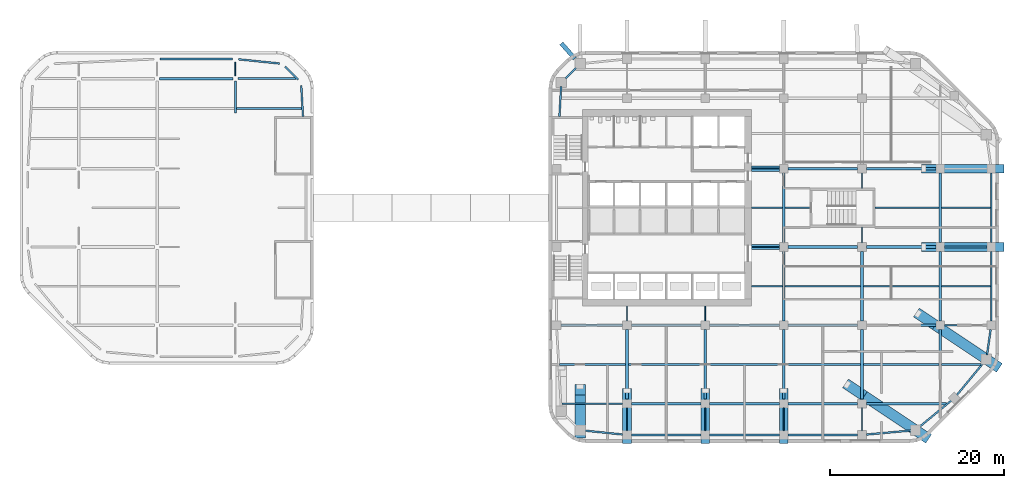
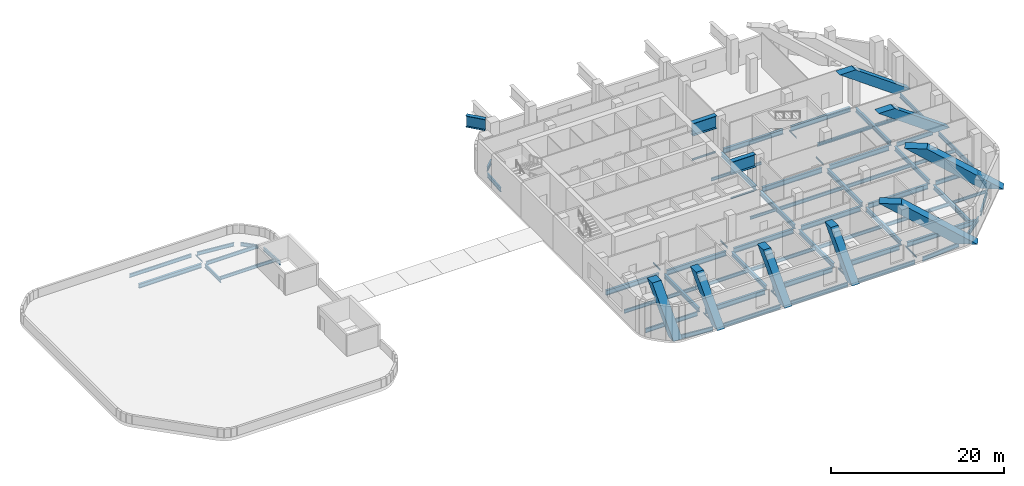
# One storey, part 2 of 11: 74 beams, 8 members.
"""IFC4 building model written with IfcOpenShell, lengths in metres."""

from ifc_helpers import new_model, si_unit, direction, frame, origin, origin_2d, place, context, subcontext, project, spatial, rectangle, i_section, extrude, material, material_profile, profile_set, type_object, element, save


model = new_model("IFC4")

# Units and contexts
model_context = context("Model", 3, precision=1e-05, world=origin(), true_north=direction((0.0, 1.0)))
body_context = subcontext(model_context, "Body", "Model", "MODEL_VIEW")
ifc_project = project(units=[si_unit("LENGTHUNIT", "METRE"), si_unit("AREAUNIT", "SQUARE_METRE"), si_unit("VOLUMEUNIT", "CUBIC_METRE"), si_unit("PLANEANGLEUNIT", "RADIAN"), si_unit("MASSUNIT", "GRAM", prefix="KILO")], contexts=[model_context])

# Site, building, storey
site_placement = place(None, origin())
site = spatial("IfcSite", under=ifc_project, at=site_placement, CompositionType="ELEMENT")
building_placement = place(site_placement, origin())
building = spatial("IfcBuilding", under=site, at=building_placement, Name="Cinnabar Reach Civic Tower", CompositionType="ELEMENT")
storey_placement = place(building_placement, frame((0.0, 0.0, 144.0)))
storey = spatial("IfcBuildingStorey", under=building, at=storey_placement, Name="L34", CompositionType="ELEMENT", Elevation=144.0)

# Beams
ifc_material_1 = material(Name="Steel Q355B", Category="steel")
ifc_material_profile_1 = material_profile(ifc_material_1, i_section(OverallWidth=0.3, OverallDepth=0.588, WebThickness=0.012, FlangeThickness=0.02, FilletRadius=0.016, at=origin_2d()), Name="HM588x300x12x20")
ifc_profile_set_1 = profile_set([ifc_material_profile_1], Name="Steel Q355B")
beam_type_1 = type_object("IfcBeamType", Name="HM588x300x12x20 beam R 120", PredefinedType="BEAM", material=ifc_profile_set_1)
beam_1_placement = place(storey_placement, frame((-44.698, 46.35, -0.744), z_axis=(1.0, 0.0, 0.0), x_axis=(0.0, 1.0, 0.0)))
element("IfcBeam", 1, at=beam_1_placement, inside=storey, type_object=beam_type_1, Name="Girder T2 L34 12", PredefinedType="BEAM", context=body_context, shape_type="SweptSolid", body=[
    extrude(i_section(OverallWidth=0.3, OverallDepth=0.588, WebThickness=0.012, FlangeThickness=0.02, FilletRadius=0.016, at=origin_2d()), origin(), (0.0, 0.0, 1.0), 8.396),
])
ifc_material_profile_2 = material_profile(ifc_material_1, i_section(OverallWidth=0.302, OverallDepth=0.594, WebThickness=0.014, FlangeThickness=0.023, FilletRadius=0.016, at=origin_2d()), Name="HM594x302x14x23")
ifc_profile_set_2 = profile_set([ifc_material_profile_2], Name="Steel Q355B")
beam_type_2 = type_object("IfcBeamType", Name="HM594x302x14x23 beam R 180", PredefinedType="BEAM", material=ifc_profile_set_2)
for number, where, z_axis, x_axis, name in (
    (2, (9.0, 9.502, -0.597), (0.0, 1.0, 0.0), (-1.0, 0.0, 0.0), "Girder T1 L34 2"),
    (3, (18.0, 9.502, -0.597), (0.0, 1.0, 0.0), (-1.0, 0.0, 0.0), "Girder T1 L34 6"),
    (4, (27.0, 9.502, -0.597), (0.0, 1.0, 0.0), (-1.0, 0.0, 0.0), "Girder T1 L34 10"),
    (5, (27.0, 18.502, -0.597), (0.0, 1.0, 0.0), (-1.0, 0.0, 0.0), "Girder T1 L34 11"),
    (6, (27.0, 27.502, -0.597), (0.0, 1.0, 0.0), (-1.0, 0.0, 0.0), "Girder T1 L34 12"),
    (7, (36.0, 9.502, -0.597), (0.0, 1.0, 0.0), (-1.0, 0.0, 0.0), "Girder T1 L34 16"),
    (8, (36.0, 18.502, -0.597), (0.0, 1.0, 0.0), (-1.0, 0.0, 0.0), "Girder T1 L34 17"),
):
    element("IfcBeam", number, at=place(storey_placement, frame(where, z_axis=z_axis, x_axis=x_axis)), inside=storey, type_object=beam_type_2, Name=name, PredefinedType="BEAM", context=body_context, shape_type="SweptSolid", body=[
        extrude(i_section(OverallWidth=0.302, OverallDepth=0.594, WebThickness=0.014, FlangeThickness=0.023, FilletRadius=0.016, at=origin_2d()), origin(), (0.0, 0.0, 1.0), 7.996),
    ])
beam_2_placement = place(storey_placement, frame((45.0, 9.152, -0.597), z_axis=(0.0, 1.0, 0.0), x_axis=(-1.0, 0.0, 0.0)))
element("IfcBeam", 9, at=beam_2_placement, inside=storey, type_object=beam_type_2, Name="Girder T1 L34 22", PredefinedType="BEAM", context=body_context, shape_type="SweptSolid", body=[
    extrude(i_section(OverallWidth=0.302, OverallDepth=0.594, WebThickness=0.014, FlangeThickness=0.023, FilletRadius=0.016, at=origin_2d()), origin(), (0.0, 0.0, 1.0), 8.346),
])
for number, where, z_axis, x_axis, name in (
    (10, (45.0, 18.502, -0.597), (0.0, 1.0, 0.0), (-1.0, 0.0, 0.0), "Girder T1 L34 23"),
    (11, (45.0, 27.502, -0.597), (0.0, 1.0, 0.0), (-1.0, 0.0, 0.0), "Girder T1 L34 24"),
):
    element("IfcBeam", number, at=place(storey_placement, frame(where, z_axis=z_axis, x_axis=x_axis)), inside=storey, type_object=beam_type_2, Name=name, PredefinedType="BEAM", context=body_context, shape_type="SweptSolid", body=[
        extrude(i_section(OverallWidth=0.302, OverallDepth=0.594, WebThickness=0.014, FlangeThickness=0.023, FilletRadius=0.016, at=origin_2d()), origin(), (0.0, 0.0, 1.0), 7.996),
    ])
ifc_material_profile_3 = material_profile(ifc_material_1, i_section(OverallWidth=0.099, OverallDepth=0.198, WebThickness=0.0045, FlangeThickness=0.007, FilletRadius=0.013, at=origin_2d()), Name="HN200x100x5.5x8")
ifc_profile_set_3 = profile_set([ifc_material_profile_3], Name="Steel Q355B")
beam_type_3 = type_object("IfcBeamType", Name="HN200x100x5.5x8 beam R 120", PredefinedType="BEAM", material=ifc_profile_set_3)
beam_3_placement = place(storey_placement, frame((-36.0, 46.652, -0.549), z_axis=(0.0, 1.0, 0.0), x_axis=(-1.0, 0.0, 0.0)))
element("IfcBeam", 12, at=beam_3_placement, inside=storey, type_object=beam_type_3, Name="Girder T2 L34 14", PredefinedType="BEAM", context=body_context, shape_type="SweptSolid", body=[
    extrude(i_section(OverallWidth=0.099, OverallDepth=0.198, WebThickness=0.0045, FlangeThickness=0.007, FilletRadius=0.013, at=origin_2d()), origin(), (0.0, 0.0, 1.0), 1.596),
])
ifc_material_profile_4 = material_profile(ifc_material_1, i_section(OverallWidth=0.099, OverallDepth=0.198, WebThickness=0.0045, FlangeThickness=0.007, FilletRadius=0.013, at=origin_2d()), Name="HN200x100x5.5x8")
ifc_profile_set_4 = profile_set([ifc_material_profile_4], Name="Steel Q355B")
beam_type_4 = type_object("IfcBeamType", Name="HN200x100x5.5x8 beam R 180", PredefinedType="BEAM", material=ifc_profile_set_4)
beam_4_placement = place(storey_placement, frame((9.0, 5.902, -0.399), z_axis=(0.0, 1.0, 0.0), x_axis=(-1.0, 0.0, 0.0)))
element("IfcBeam", 13, at=beam_4_placement, inside=storey, type_object=beam_type_4, Name="Girder T1 L34 1", PredefinedType="BEAM", context=body_context, shape_type="SweptSolid", body=[
    extrude(i_section(OverallWidth=0.099, OverallDepth=0.198, WebThickness=0.0045, FlangeThickness=0.007, FilletRadius=0.013, at=origin_2d()), origin(), (0.0, 0.0, 1.0), 2.596),
])
beam_5_placement = place(storey_placement, frame((9.0, 18.502, -0.399), z_axis=(0.0, 1.0, 0.0), x_axis=(-1.0, 0.0, 0.0)))
element("IfcBeam", 14, at=beam_5_placement, inside=storey, type_object=beam_type_4, Name="Girder T1 L34 3", PredefinedType="BEAM", context=body_context, shape_type="SweptSolid", body=[
    extrude(i_section(OverallWidth=0.099, OverallDepth=0.198, WebThickness=0.0045, FlangeThickness=0.007, FilletRadius=0.013, at=origin_2d()), origin(), (0.0, 0.0, 1.0), 1.696),
])
beam_6_placement = place(storey_placement, frame((18.0, 5.902, -0.399), z_axis=(0.0, 1.0, 0.0), x_axis=(-1.0, 0.0, 0.0)))
element("IfcBeam", 15, at=beam_6_placement, inside=storey, type_object=beam_type_4, Name="Girder T1 L34 5", PredefinedType="BEAM", context=body_context, shape_type="SweptSolid", body=[
    extrude(i_section(OverallWidth=0.099, OverallDepth=0.198, WebThickness=0.0045, FlangeThickness=0.007, FilletRadius=0.013, at=origin_2d()), origin(), (0.0, 0.0, 1.0), 2.596),
])
beam_7_placement = place(storey_placement, frame((18.0, 18.502, -0.399), z_axis=(0.0, 1.0, 0.0), x_axis=(-1.0, 0.0, 0.0)))
element("IfcBeam", 16, at=beam_7_placement, inside=storey, type_object=beam_type_4, Name="Girder T1 L34 7", PredefinedType="BEAM", context=body_context, shape_type="SweptSolid", body=[
    extrude(i_section(OverallWidth=0.099, OverallDepth=0.198, WebThickness=0.0045, FlangeThickness=0.007, FilletRadius=0.013, at=origin_2d()), origin(), (0.0, 0.0, 1.0), 1.696),
])
for number, where, z_axis, x_axis, name in (
    (17, (27.0, 5.902, -0.399), (0.0, 1.0, 0.0), (-1.0, 0.0, 0.0), "Girder T1 L34 9"),
    (18, (36.0, 5.902, -0.399), (0.0, 1.0, 0.0), (-1.0, 0.0, 0.0), "Girder T1 L34 15"),
):
    element("IfcBeam", number, at=place(storey_placement, frame(where, z_axis=z_axis, x_axis=x_axis)), inside=storey, type_object=beam_type_4, Name=name, PredefinedType="BEAM", context=body_context, shape_type="SweptSolid", body=[
        extrude(i_section(OverallWidth=0.099, OverallDepth=0.198, WebThickness=0.0045, FlangeThickness=0.007, FilletRadius=0.013, at=origin_2d()), origin(), (0.0, 0.0, 1.0), 2.596),
    ])
for number, where, z_axis, x_axis, name in (
    (19, (36.0, 27.502, -0.399), (0.0, 1.0, 0.0), (-1.0, 0.0, 0.0), "Girder T1 L34 18"),
    (20, (36.0, 33.752, -0.399), (0.0, 1.0, 0.0), (-1.0, 0.0, 0.0), "Girder T1 L34 19"),
):
    element("IfcBeam", number, at=place(storey_placement, frame(where, z_axis=z_axis, x_axis=x_axis)), inside=storey, type_object=beam_type_4, Name=name, PredefinedType="BEAM", context=body_context, shape_type="SweptSolid", body=[
        extrude(i_section(OverallWidth=0.099, OverallDepth=0.198, WebThickness=0.0045, FlangeThickness=0.007, FilletRadius=0.013, at=origin_2d()), origin(), (0.0, 0.0, 1.0), 1.746),
    ])
ifc_material_profile_5 = material_profile(ifc_material_1, i_section(OverallWidth=0.124, OverallDepth=0.248, WebThickness=0.005, FlangeThickness=0.008, FilletRadius=0.013, at=origin_2d()), Name="HN250x125x6x9")
ifc_profile_set_5 = profile_set([ifc_material_profile_5], Name="Steel Q355B")
beam_type_5 = type_object("IfcBeamType", Name="HN250x125x6x9 beam R 180", PredefinedType="BEAM", material=ifc_profile_set_5)
for number, where, z_axis, x_axis, name in (
    (21, (23.302, 27.0, -0.424), (1.0, 0.0, 0.0), (0.0, 1.0, 0.0), "Girder T1 L34 12"),
    (22, (23.302, 36.0, -0.424), (1.0, 0.0, 0.0), (0.0, 1.0, 0.0), "Girder T1 L34 16"),
):
    element("IfcBeam", number, at=place(storey_placement, frame(where, z_axis=z_axis, x_axis=x_axis)), inside=storey, type_object=beam_type_5, Name=name, PredefinedType="BEAM", context=body_context, shape_type="SweptSolid", body=[
        extrude(i_section(OverallWidth=0.124, OverallDepth=0.248, WebThickness=0.005, FlangeThickness=0.008, FilletRadius=0.013, at=origin_2d()), origin(), (0.0, 0.0, 1.0), 3.196),
    ])
ifc_material_profile_6 = material_profile(ifc_material_1, i_section(OverallWidth=0.199, OverallDepth=0.396, WebThickness=0.007, FlangeThickness=0.011, FilletRadius=0.013, at=origin_2d()), Name="HN396x199x7x11")
ifc_profile_set_6 = profile_set([ifc_material_profile_6], Name="Steel Q355B")
beam_type_6 = type_object("IfcBeamType", Name="HN396x199x7x11 beam R 180", PredefinedType="BEAM", material=ifc_profile_set_6)
beam_8_placement = place(storey_placement, frame((45.153, 13.5, -0.498), z_axis=(1.0, 0.0, 0.0), x_axis=(0.0, 1.0, 0.0)))
element("IfcBeam", 23, at=beam_8_placement, inside=storey, type_object=beam_type_6, Name="Secondary beam T1 L34 6", PredefinedType="BEAM", context=body_context, shape_type="SweptSolid", body=[
    extrude(i_section(OverallWidth=0.199, OverallDepth=0.396, WebThickness=0.007, FlangeThickness=0.011, FilletRadius=0.013, at=origin_2d()), origin(), (0.0, 0.0, 1.0), 4.5152),
])
for number, where, z_axis, x_axis, name in (
    (24, (23.302, 22.5, -0.498), (1.0, 0.0, 0.0), (0.0, 1.0, 0.0), "Secondary beam T1 L34 7"),
    (25, (23.302, 31.5, -0.498), (1.0, 0.0, 0.0), (0.0, 1.0, 0.0), "Secondary beam T1 L34 12"),
):
    element("IfcBeam", number, at=place(storey_placement, frame(where, z_axis=z_axis, x_axis=x_axis)), inside=storey, type_object=beam_type_6, Name=name, PredefinedType="BEAM", context=body_context, shape_type="SweptSolid", body=[
        extrude(i_section(OverallWidth=0.199, OverallDepth=0.396, WebThickness=0.007, FlangeThickness=0.011, FilletRadius=0.013, at=origin_2d()), origin(), (0.0, 0.0, 1.0), 3.545),
    ])
beam_9_placement = place(storey_placement, frame((27.153, 31.5, -0.498), z_axis=(1.0, 0.0, 0.0), x_axis=(0.0, 1.0, 0.0)))
element("IfcBeam", 26, at=beam_9_placement, inside=storey, type_object=beam_type_6, Name="Secondary beam T1 L34 13", PredefinedType="BEAM", context=body_context, shape_type="SweptSolid", body=[
    extrude(i_section(OverallWidth=0.199, OverallDepth=0.396, WebThickness=0.007, FlangeThickness=0.011, FilletRadius=0.013, at=origin_2d()), origin(), (0.0, 0.0, 1.0), 2.845),
])
ifc_material_profile_7 = material_profile(ifc_material_1, i_section(OverallWidth=0.2, OverallDepth=0.45, WebThickness=0.009, FlangeThickness=0.014, FilletRadius=0.016, at=origin_2d()), Name="HN450x200x9x14")
ifc_profile_set_7 = profile_set([ifc_material_profile_7], Name="Steel Q355B")
beam_type_7 = type_object("IfcBeamType", Name="HN450x200x9x14 beam R 120", PredefinedType="BEAM", material=ifc_profile_set_7)
beam_10_placement = place(storey_placement, frame((-35.898, 42.9, -0.675), z_axis=(1.0, 0.0, 0.0), x_axis=(0.0, 1.0, 0.0)))
element("IfcBeam", 27, at=beam_10_placement, inside=storey, type_object=beam_type_7, Name="Secondary beam T2 L34 13", PredefinedType="BEAM", context=body_context, shape_type="SweptSolid", body=[
    extrude(i_section(OverallWidth=0.2, OverallDepth=0.45, WebThickness=0.009, FlangeThickness=0.014, FilletRadius=0.016, at=origin_2d()), origin(), (0.0, 0.0, 1.0), 7.5103),
])
ifc_material_profile_8 = material_profile(ifc_material_1, i_section(OverallWidth=0.199, OverallDepth=0.496, WebThickness=0.009, FlangeThickness=0.014, FilletRadius=0.016, at=origin_2d()), Name="HN496x199x9x14")
ifc_profile_set_8 = profile_set([ifc_material_profile_8], Name="Steel Q355B")
beam_type_8 = type_object("IfcBeamType", Name="HN496x199x9x14 beam R 180", PredefinedType="BEAM", material=ifc_profile_set_8)
beam_11_placement = place(storey_placement, frame((1.2536, 13.5, -0.548), z_axis=(1.0, 0.0, 0.0), x_axis=(0.0, 1.0, 0.0)))
element("IfcBeam", 28, at=beam_11_placement, inside=storey, type_object=beam_type_8, Name="Secondary beam T1 L34 1", PredefinedType="BEAM", context=body_context, shape_type="SweptSolid", body=[
    extrude(i_section(OverallWidth=0.199, OverallDepth=0.496, WebThickness=0.009, FlangeThickness=0.014, FilletRadius=0.016, at=origin_2d()), origin(), (0.0, 0.0, 1.0), 7.5934),
])
for number, where, z_axis, x_axis, name in (
    (29, (9.153, 13.5, -0.548), (1.0, 0.0, 0.0), (0.0, 1.0, 0.0), "Secondary beam T1 L34 2"),
    (30, (18.153, 13.5, -0.548), (1.0, 0.0, 0.0), (0.0, 1.0, 0.0), "Secondary beam T1 L34 3"),
    (31, (27.153, 13.5, -0.548), (1.0, 0.0, 0.0), (0.0, 1.0, 0.0), "Secondary beam T1 L34 4"),
    (32, (36.153, 13.5, -0.548), (1.0, 0.0, 0.0), (0.0, 1.0, 0.0), "Secondary beam T1 L34 5"),
    (33, (27.153, 22.5, -0.548), (1.0, 0.0, 0.0), (0.0, 1.0, 0.0), "Secondary beam T1 L34 8"),
    (34, (36.153, 22.5, -0.548), (1.0, 0.0, 0.0), (0.0, 1.0, 0.0), "Secondary beam T1 L34 9"),
):
    element("IfcBeam", number, at=place(storey_placement, frame(where, z_axis=z_axis, x_axis=x_axis)), inside=storey, type_object=beam_type_8, Name=name, PredefinedType="BEAM", context=body_context, shape_type="SweptSolid", body=[
        extrude(i_section(OverallWidth=0.199, OverallDepth=0.496, WebThickness=0.009, FlangeThickness=0.014, FilletRadius=0.016, at=origin_2d()), origin(), (0.0, 0.0, 1.0), 8.694),
    ])
beam_12_placement = place(storey_placement, frame((45.153, 22.5, -0.548), z_axis=(1.0, 0.0, 0.0), x_axis=(0.0, 1.0, 0.0)))
element("IfcBeam", 35, at=beam_12_placement, inside=storey, type_object=beam_type_8, Name="Secondary beam T1 L34 10", PredefinedType="BEAM", context=body_context, shape_type="SweptSolid", body=[
    extrude(i_section(OverallWidth=0.199, OverallDepth=0.496, WebThickness=0.009, FlangeThickness=0.014, FilletRadius=0.016, at=origin_2d()), origin(), (0.0, 0.0, 1.0), 5.595),
])
beam_13_placement = place(storey_placement, frame((37.502, 31.5, -0.548), z_axis=(1.0, 0.0, 0.0), x_axis=(0.0, 1.0, 0.0)))
element("IfcBeam", 36, at=beam_13_placement, inside=storey, type_object=beam_type_8, Name="Secondary beam T1 L34 14", PredefinedType="BEAM", context=body_context, shape_type="SweptSolid", body=[
    extrude(i_section(OverallWidth=0.199, OverallDepth=0.496, WebThickness=0.009, FlangeThickness=0.014, FilletRadius=0.016, at=origin_2d()), origin(), (0.0, 0.0, 1.0), 7.345),
])
beam_14_placement = place(storey_placement, frame((45.153, 31.5, -0.548), z_axis=(1.0, 0.0, 0.0), x_axis=(0.0, 1.0, 0.0)))
element("IfcBeam", 37, at=beam_14_placement, inside=storey, type_object=beam_type_8, Name="Secondary beam T1 L34 15", PredefinedType="BEAM", context=body_context, shape_type="SweptSolid", body=[
    extrude(i_section(OverallWidth=0.199, OverallDepth=0.496, WebThickness=0.009, FlangeThickness=0.014, FilletRadius=0.016, at=origin_2d()), origin(), (0.0, 0.0, 1.0), 5.595),
])
ifc_material_profile_9 = material_profile(ifc_material_1, i_section(OverallWidth=0.2, OverallDepth=0.5, WebThickness=0.01, FlangeThickness=0.016, FilletRadius=0.016, at=origin_2d()), Name="HN500x200x10x16")
ifc_profile_set_9 = profile_set([ifc_material_profile_9], Name="Steel Q355B")
beam_type_9 = type_object("IfcBeamType", Name="HN500x200x10x16 beam R 120", PredefinedType="BEAM", material=ifc_profile_set_9)
beam_15_placement = place(storey_placement, frame((-28.2354, 42.002, -0.7), z_axis=(-0.055775670196, 0.99844332569, 0.0), x_axis=(-0.99844332569, -0.055775670196, 0.0)))
element("IfcBeam", 38, at=beam_15_placement, inside=storey, type_object=beam_type_9, Name="Edge beam T2 L34 7", PredefinedType="BEAM", context=body_context, shape_type="SweptSolid", body=[
    extrude(i_section(OverallWidth=0.2, OverallDepth=0.5, WebThickness=0.01, FlangeThickness=0.016, FilletRadius=0.016, at=origin_2d()), origin(), (0.0, 0.0, 1.0), 3.5697),
])
beam_16_placement = place(storey_placement, frame((-28.7851, 46.2301, -0.7), z_axis=(-0.707106781187, 0.707106781187, 0.0), x_axis=(-0.707106781187, -0.707106781187, 0.0)))
element("IfcBeam", 39, at=beam_16_placement, inside=storey, type_object=beam_type_9, Name="Edge beam T2 L34 8", PredefinedType="BEAM", context=body_context, shape_type="SweptSolid", body=[
    extrude(i_section(OverallWidth=0.2, OverallDepth=0.5, WebThickness=0.01, FlangeThickness=0.016, FilletRadius=0.016, at=origin_2d()), origin(), (0.0, 0.0, 1.0), 2.0998),
])
beam_17_placement = place(storey_placement, frame((-30.9339, 48.0809, -0.7), z_axis=(-0.994792087401, 0.101924986363, 0.0), x_axis=(-0.101924986363, -0.994792087401, 0.0)))
element("IfcBeam", 40, at=beam_17_placement, inside=storey, type_object=beam_type_9, Name="Edge beam T2 L34 9", PredefinedType="BEAM", context=body_context, shape_type="SweptSolid", body=[
    extrude(i_section(OverallWidth=0.2, OverallDepth=0.5, WebThickness=0.01, FlangeThickness=0.016, FilletRadius=0.016, at=origin_2d()), origin(), (0.0, 0.0, 1.0), 4.7388),
])
beam_18_placement = place(storey_placement, frame((-36.352, 48.6, -0.7), z_axis=(-1.0, 0.0, 0.0), x_axis=(0.0, -1.0, 0.0)))
element("IfcBeam", 41, at=beam_18_placement, inside=storey, type_object=beam_type_9, Name="Edge beam T2 L34 10", PredefinedType="BEAM", context=body_context, shape_type="SweptSolid", body=[
    extrude(i_section(OverallWidth=0.2, OverallDepth=0.5, WebThickness=0.01, FlangeThickness=0.016, FilletRadius=0.016, at=origin_2d()), origin(), (0.0, 0.0, 1.0), 8.296),
])
beam_19_placement = place(storey_placement, frame((-35.698, 46.35, -0.7), z_axis=(1.0, 0.0, 0.0), x_axis=(0.0, 1.0, 0.0)))
element("IfcBeam", 42, at=beam_19_placement, inside=storey, type_object=beam_type_9, Name="Girder T2 L34 13", PredefinedType="BEAM", context=body_context, shape_type="SweptSolid", body=[
    extrude(i_section(OverallWidth=0.2, OverallDepth=0.5, WebThickness=0.01, FlangeThickness=0.016, FilletRadius=0.016, at=origin_2d()), origin(), (0.0, 0.0, 1.0), 6.6488),
])
beam_20_placement = place(storey_placement, frame((-36.0, 42.402, -0.7), z_axis=(0.0, 1.0, 0.0), x_axis=(-1.0, 0.0, 0.0)))
element("IfcBeam", 43, at=beam_20_placement, inside=storey, type_object=beam_type_9, Name="Girder T2 L34 13", PredefinedType="BEAM", context=body_context, shape_type="SweptSolid", body=[
    extrude(i_section(OverallWidth=0.2, OverallDepth=0.5, WebThickness=0.01, FlangeThickness=0.016, FilletRadius=0.016, at=origin_2d()), origin(), (0.0, 0.0, 1.0), 3.646),
])
ifc_material_profile_10 = material_profile(ifc_material_1, i_section(OverallWidth=0.199, OverallDepth=0.596, WebThickness=0.01, FlangeThickness=0.015, FilletRadius=0.016, at=origin_2d()), Name="HN596x199x10x15")
ifc_profile_set_10 = profile_set([ifc_material_profile_10], Name="Steel Q355B")
beam_type_10 = type_object("IfcBeamType", Name="HN596x199x10x15 beam R 180", PredefinedType="BEAM", material=ifc_profile_set_10)
beam_21_placement = place(storey_placement, frame((1.5051, 9.0, -0.598), z_axis=(1.0, 0.0, 0.0), x_axis=(0.0, 1.0, 0.0)))
element("IfcBeam", 44, at=beam_21_placement, inside=storey, type_object=beam_type_10, Name="Girder T1 L34 1", PredefinedType="BEAM", context=body_context, shape_type="SweptSolid", body=[
    extrude(i_section(OverallWidth=0.199, OverallDepth=0.596, WebThickness=0.01, FlangeThickness=0.015, FilletRadius=0.016, at=origin_2d()), origin(), (0.0, 0.0, 1.0), 6.9929),
])
for number, where, z_axis, x_axis, name in (
    (45, (45.502, 18.0, -0.598), (1.0, 0.0, 0.0), (0.0, 1.0, 0.0), "Girder T1 L34 11"),
    (46, (45.502, 27.0, -0.598), (1.0, 0.0, 0.0), (0.0, 1.0, 0.0), "Girder T1 L34 15"),
):
    element("IfcBeam", number, at=place(storey_placement, frame(where, z_axis=z_axis, x_axis=x_axis)), inside=storey, type_object=beam_type_10, Name=name, PredefinedType="BEAM", context=body_context, shape_type="SweptSolid", body=[
        extrude(i_section(OverallWidth=0.199, OverallDepth=0.596, WebThickness=0.01, FlangeThickness=0.015, FilletRadius=0.016, at=origin_2d()), origin(), (0.0, 0.0, 1.0), 4.846),
    ])
ifc_material_profile_11 = material_profile(ifc_material_1, i_section(OverallWidth=0.2, OverallDepth=0.6, WebThickness=0.011, FlangeThickness=0.017, FilletRadius=0.016, at=origin_2d()), Name="HN600x200x11x17")
ifc_profile_set_11 = profile_set([ifc_material_profile_11], Name="Steel Q355B")
beam_type_11 = type_object("IfcBeamType", Name="HN600x200x11x17 beam R 180", PredefinedType="BEAM", material=ifc_profile_set_11)
beam_22_placement = place(storey_placement, frame((4.0839, 5.9037, -0.6), z_axis=(0.994791228755, -0.101933366432, 0.0), x_axis=(0.101933366432, 0.994791228755, 0.0)))
element("IfcBeam", 47, at=beam_22_placement, inside=storey, type_object=beam_type_11, Name="Edge beam T1 L34 1", PredefinedType="BEAM", context=body_context, shape_type="SweptSolid", body=[
    extrude(i_section(OverallWidth=0.2, OverallDepth=0.6, WebThickness=0.011, FlangeThickness=0.017, FilletRadius=0.016, at=origin_2d()), origin(), (0.0, 0.0, 1.0), 4.4372),
])
for number, where, z_axis, x_axis, name in (
    (48, (9.502, 5.4, -0.6), (1.0, 0.0, 0.0), (0.0, 1.0, 0.0), "Edge beam T1 L34 2"),
    (49, (18.502, 5.4, -0.6), (1.0, 0.0, 0.0), (0.0, 1.0, 0.0), "Edge beam T1 L34 3"),
    (50, (27.502, 5.4, -0.6), (1.0, 0.0, 0.0), (0.0, 1.0, 0.0), "Edge beam T1 L34 4"),
):
    element("IfcBeam", number, at=place(storey_placement, frame(where, z_axis=z_axis, x_axis=x_axis)), inside=storey, type_object=beam_type_11, Name=name, PredefinedType="BEAM", context=body_context, shape_type="SweptSolid", body=[
        extrude(i_section(OverallWidth=0.2, OverallDepth=0.6, WebThickness=0.011, FlangeThickness=0.017, FilletRadius=0.016, at=origin_2d()), origin(), (0.0, 0.0, 1.0), 7.996),
    ])
beam_23_placement = place(storey_placement, frame((36.502, 5.4452, -0.6), z_axis=(0.995979069281, 0.089586235294, 0.0), x_axis=(-0.089586235294, 0.995979069281, 0.0)))
element("IfcBeam", 51, at=beam_23_placement, inside=storey, type_object=beam_type_11, Name="Edge beam T1 L34 5", PredefinedType="BEAM", context=body_context, shape_type="SweptSolid", body=[
    extrude(i_section(OverallWidth=0.2, OverallDepth=0.6, WebThickness=0.011, FlangeThickness=0.017, FilletRadius=0.016, at=origin_2d()), origin(), (0.0, 0.0, 1.0), 5.1849),
])
for number, where, z_axis, x_axis, name in (
    (52, (42.6301, 6.3507, -0.6), (0.77143827905, 0.6363041581, 0.0), (-0.6363041581, 0.77143827905, 0.0), "Edge beam T1 L34 6"),
    (53, (46.8961, 9.9789, -0.6), (0.6363041581, 0.77143827905, 0.0), (-0.77143827905, 0.6363041581, 0.0), "Edge beam T1 L34 7"),
):
    element("IfcBeam", number, at=place(storey_placement, frame(where, z_axis=z_axis, x_axis=x_axis)), inside=storey, type_object=beam_type_11, Name=name, PredefinedType="BEAM", context=body_context, shape_type="SweptSolid", body=[
        extrude(i_section(OverallWidth=0.2, OverallDepth=0.6, WebThickness=0.011, FlangeThickness=0.017, FilletRadius=0.016, at=origin_2d()), origin(), (0.0, 0.0, 1.0), 4.7198),
    ])
beam_24_placement = place(storey_placement, frame((50.3653, 14.5839, -0.6), z_axis=(0.140489003738, 0.990082238922, 0.0), x_axis=(-0.990082238922, 0.140489003738, 0.0)))
element("IfcBeam", 54, at=beam_24_placement, inside=storey, type_object=beam_type_11, Name="Edge beam T1 L34 8", PredefinedType="BEAM", context=body_context, shape_type="SweptSolid", body=[
    extrude(i_section(OverallWidth=0.2, OverallDepth=0.6, WebThickness=0.011, FlangeThickness=0.017, FilletRadius=0.016, at=origin_2d()), origin(), (0.0, 0.0, 1.0), 2.9433),
])
for number, where, z_axis, x_axis, name in (
    (55, (50.85, 18.502, -0.6), (0.0, 1.0, 0.0), (-1.0, 0.0, 0.0), "Edge beam T1 L34 9"),
    (56, (50.85, 27.502, -0.6), (0.0, 1.0, 0.0), (-1.0, 0.0, 0.0), "Edge beam T1 L34 10"),
):
    element("IfcBeam", number, at=place(storey_placement, frame(where, z_axis=z_axis, x_axis=x_axis)), inside=storey, type_object=beam_type_11, Name=name, PredefinedType="BEAM", context=body_context, shape_type="SweptSolid", body=[
        extrude(i_section(OverallWidth=0.2, OverallDepth=0.6, WebThickness=0.011, FlangeThickness=0.017, FilletRadius=0.016, at=origin_2d()), origin(), (0.0, 0.0, 1.0), 7.996),
    ])
beam_25_placement = place(storey_placement, frame((3.1199, 47.5649, -0.6), z_axis=(-0.707106781187, -0.707106781187, 0.0), x_axis=(0.707106781187, -0.707106781187, 0.0)))
element("IfcBeam", 57, at=beam_25_placement, inside=storey, type_object=beam_type_11, Name="Edge beam T1 L34 19", PredefinedType="BEAM", context=body_context, shape_type="SweptSolid", body=[
    extrude(i_section(OverallWidth=0.2, OverallDepth=0.6, WebThickness=0.011, FlangeThickness=0.017, FilletRadius=0.016, at=origin_2d()), origin(), (0.0, 0.0, 1.0), 1.6756),
])
beam_26_placement = place(storey_placement, frame((1.4262, 45.4161, -0.6), z_axis=(-0.055798816608, -0.998442032401, 0.0), x_axis=(0.998442032401, -0.055798816608, 0.0)))
element("IfcBeam", 58, at=beam_26_placement, inside=storey, type_object=beam_type_11, Name="Edge beam T1 L34 20", PredefinedType="BEAM", context=body_context, shape_type="SweptSolid", body=[
    extrude(i_section(OverallWidth=0.2, OverallDepth=0.6, WebThickness=0.011, FlangeThickness=0.017, FilletRadius=0.016, at=origin_2d()), origin(), (0.0, 0.0, 1.0), 3.4194),
])
ifc_material_profile_12 = material_profile(ifc_material_1, i_section(OverallWidth=0.3, OverallDepth=0.692, WebThickness=0.013, FlangeThickness=0.02, FilletRadius=0.016, at=origin_2d()), Name="HN692x300x13x20")
ifc_profile_set_12 = profile_set([ifc_material_profile_12], Name="Steel Q355B")
beam_type_12 = type_object("IfcBeamType", Name="HN692x300x13x20 beam R 180", PredefinedType="BEAM", material=ifc_profile_set_12)
for number, where, z_axis, x_axis, name in (
    (59, (9.502, 9.0, -0.646), (1.0, 0.0, 0.0), (0.0, 1.0, 0.0), "Girder T1 L34 2"),
    (60, (18.502, 9.0, -0.646), (1.0, 0.0, 0.0), (0.0, 1.0, 0.0), "Girder T1 L34 3"),
    (61, (27.502, 9.0, -0.646), (1.0, 0.0, 0.0), (0.0, 1.0, 0.0), "Girder T1 L34 4"),
):
    element("IfcBeam", number, at=place(storey_placement, frame(where, z_axis=z_axis, x_axis=x_axis)), inside=storey, type_object=beam_type_12, Name=name, PredefinedType="BEAM", context=body_context, shape_type="SweptSolid", body=[
        extrude(i_section(OverallWidth=0.3, OverallDepth=0.692, WebThickness=0.013, FlangeThickness=0.02, FilletRadius=0.016, at=origin_2d()), origin(), (0.0, 0.0, 1.0), 7.996),
    ])
beam_27_placement = place(storey_placement, frame((36.502, 9.0, -0.646), z_axis=(1.0, 0.0, 0.0), x_axis=(0.0, 1.0, 0.0)))
element("IfcBeam", 62, at=beam_27_placement, inside=storey, type_object=beam_type_12, Name="Girder T1 L34 5", PredefinedType="BEAM", context=body_context, shape_type="SweptSolid", body=[
    extrude(i_section(OverallWidth=0.3, OverallDepth=0.692, WebThickness=0.013, FlangeThickness=0.02, FilletRadius=0.016, at=origin_2d()), origin(), (0.0, 0.0, 1.0), 9.1798),
])
beam_28_placement = place(storey_placement, frame((1.402, 18.0, -0.646), z_axis=(1.0, 0.0, 0.0), x_axis=(0.0, 1.0, 0.0)))
element("IfcBeam", 63, at=beam_28_placement, inside=storey, type_object=beam_type_12, Name="Girder T1 L34 6", PredefinedType="BEAM", context=body_context, shape_type="SweptSolid", body=[
    extrude(i_section(OverallWidth=0.3, OverallDepth=0.692, WebThickness=0.013, FlangeThickness=0.02, FilletRadius=0.016, at=origin_2d()), origin(), (0.0, 0.0, 1.0), 7.096),
])
for number, where, z_axis, x_axis, name in (
    (64, (9.502, 18.0, -0.646), (1.0, 0.0, 0.0), (0.0, 1.0, 0.0), "Girder T1 L34 7"),
    (65, (18.502, 18.0, -0.646), (1.0, 0.0, 0.0), (0.0, 1.0, 0.0), "Girder T1 L34 8"),
    (66, (27.502, 18.0, -0.646), (1.0, 0.0, 0.0), (0.0, 1.0, 0.0), "Girder T1 L34 9"),
    (67, (36.502, 18.0, -0.646), (1.0, 0.0, 0.0), (0.0, 1.0, 0.0), "Girder T1 L34 10"),
    (68, (27.502, 27.0, -0.646), (1.0, 0.0, 0.0), (0.0, 1.0, 0.0), "Girder T1 L34 13"),
    (69, (36.502, 27.0, -0.646), (1.0, 0.0, 0.0), (0.0, 1.0, 0.0), "Girder T1 L34 14"),
    (70, (27.502, 36.0, -0.646), (1.0, 0.0, 0.0), (0.0, 1.0, 0.0), "Girder T1 L34 17"),
    (71, (36.502, 36.0, -0.646), (1.0, 0.0, 0.0), (0.0, 1.0, 0.0), "Girder T1 L34 18"),
):
    element("IfcBeam", number, at=place(storey_placement, frame(where, z_axis=z_axis, x_axis=x_axis)), inside=storey, type_object=beam_type_12, Name=name, PredefinedType="BEAM", context=body_context, shape_type="SweptSolid", body=[
        extrude(i_section(OverallWidth=0.3, OverallDepth=0.692, WebThickness=0.013, FlangeThickness=0.02, FilletRadius=0.016, at=origin_2d()), origin(), (0.0, 0.0, 1.0), 7.996),
    ])
ifc_material_profile_13 = material_profile(ifc_material_1, i_section(OverallWidth=0.6, OverallDepth=1.8, WebThickness=0.028, FlangeThickness=0.045, at=origin_2d()), Name="BH1800x600x28x45")
ifc_profile_set_13 = profile_set([ifc_material_profile_13], Name="Steel Q355B")
beam_type_13 = type_object("IfcBeamType", Name="OUTRIGGER BH1800x600x28x45 R 240", PredefinedType="BEAM", material=ifc_profile_set_13)
for number, where, z_axis, x_axis, name in (
    (72, (23.302, 27.0, 3.95), (1.0, 0.0, 0.0), (0.0, 1.0, 0.0), "OUTRIGGER girder T1-L34-OG-E27"),
    (73, (23.302, 36.0, 3.95), (1.0, 0.0, 0.0), (0.0, 1.0, 0.0), "OUTRIGGER girder T1-L34-OG-E36"),
):
    element("IfcBeam", number, at=place(storey_placement, frame(where, z_axis=z_axis, x_axis=x_axis)), inside=storey, type_object=beam_type_13, Name=name, PredefinedType="BEAM", context=body_context, shape_type="SweptSolid", body=[
        extrude(i_section(OverallWidth=0.6, OverallDepth=1.8, WebThickness=0.028, FlangeThickness=0.045, at=origin_2d()), origin(), (0.0, 0.0, 1.0), 3.196),
    ])

# Members
ifc_material_2 = material(Name="Concrete C80", Category="concrete")
ifc_material_profile_14 = material_profile(ifc_material_2, rectangle(XDim=1.2, YDim=1.2, at=origin_2d()), Name="RC1200")
ifc_profile_set_14 = profile_set([ifc_material_profile_14], Name="Concrete C80")
member_type_1 = type_object("IfcMemberType", Name="RC1200 raked column R 240", PredefinedType="STRUT", material=ifc_profile_set_14)
member_placement = place(storey_placement, frame((3.6019, 5.6747, -0.3), z_axis=(0.0, 0.0, 1.0), x_axis=(1.0, 0.0, 0.0)))
element("IfcMember", 74, at=member_placement, inside=storey, type_object=member_type_1, Name="Raked column T1-Z2-CC0", PredefinedType="STRUT", context=body_context, shape_type="SweptSolid", body=[
    extrude(rectangle(XDim=1.2, YDim=1.2, at=origin_2d()), origin(), (0.0, 0.680166692317, 0.733057481145), 7.23),
])
ifc_material_3 = material(Name="Concrete C70", Category="concrete")
ifc_material_profile_15 = material_profile(ifc_material_3, rectangle(XDim=1.4, YDim=1.0, at=origin_2d()), Name="RC1400x1000")
ifc_profile_set_15 = profile_set([ifc_material_profile_15], Name="Concrete C70")
member_type_2 = type_object("IfcMemberType", Name="RC1400x1000 raked strut R 240", PredefinedType="STRUT", material=ifc_profile_set_15)
for number, where, z_axis, x_axis, name in (
    (75, (9.0, 5.1216, -0.3), (0.0, 0.0, 1.0), (0.0, 1.0, 0.0), "Raked column T1-Z2-F0-1"),
    (76, (18.0, 5.1216, -0.3), (0.0, 0.0, 1.0), (0.0, 1.0, 0.0), "Raked column T1-Z2-F0-2"),
    (77, (27.0, 5.1216, -0.3), (0.0, 0.0, 1.0), (0.0, 1.0, 0.0), "Raked column T1-Z2-F0-3"),
):
    element("IfcMember", number, at=place(storey_placement, frame(where, z_axis=z_axis, x_axis=x_axis)), inside=storey, type_object=member_type_2, Name=name, PredefinedType="STRUT", context=body_context, shape_type="SweptSolid", body=[
        extrude(rectangle(XDim=1.4, YDim=1.0, at=origin_2d()), origin(), (0.680166692317, 0.0, 0.733057481145), 7.23),
    ])
ifc_material_profile_16 = material_profile(ifc_material_3, rectangle(XDim=2.1, YDim=1.0, at=origin_2d()), Name="RC2100x1000")
ifc_profile_set_16 = profile_set([ifc_material_profile_16], Name="Concrete C70")
member_type_3 = type_object("IfcMemberType", Name="RC2100x1000 raked strut R 240", PredefinedType="STRUT", material=ifc_profile_set_16)
for number, where, z_axis, x_axis, name in (
    (78, (51.2675, 27.0, -0.3), (0.0, 0.0, 1.0), (-1.0, 0.0, 0.0), "Raked column T1-Z2-F2-3"),
    (79, (51.2675, 36.0, -0.3), (0.0, 0.0, 1.0), (-1.0, 0.0, 0.0), "Raked column T1-Z2-F2-4"),
):
    element("IfcMember", number, at=place(storey_placement, frame(where, z_axis=z_axis, x_axis=x_axis)), inside=storey, type_object=member_type_3, Name=name, PredefinedType="STRUT", context=body_context, shape_type="SweptSolid", body=[
        extrude(rectangle(XDim=2.1, YDim=1.0, at=origin_2d()), origin(), (0.812104878122, 0.0, 0.583511496827), 9.0829),
    ])
ifc_material_profile_17 = material_profile(ifc_material_2, rectangle(XDim=2.6, YDim=1.2, at=origin_2d()), Name="RC2600x1200")
ifc_profile_set_17 = profile_set([ifc_material_profile_17], Name="Concrete C80")
member_type_4 = type_object("IfcMemberType", Name="RC2600x1200 raked strut R 240", PredefinedType="STRUT", material=ifc_profile_set_17)
for number, where, z_axis, x_axis, name in (
    (80, (42.5656, 5.6747, -0.3), (0.0, 0.0, 1.0), (-0.83205094808, 0.554699215611, 0.0), "Raked column T1-Z2-CC1"),
    (81, (50.7144, 13.8235, -0.3), (0.0, 0.0, 1.0), (-0.83205094808, 0.554699215611, 0.0), "Raked column T1-Z2-CC2"),
):
    element("IfcMember", number, at=place(storey_placement, frame(where, z_axis=z_axis, x_axis=x_axis)), inside=storey, type_object=member_type_4, Name=name, PredefinedType="STRUT", context=body_context, shape_type="SweptSolid", body=[
        extrude(rectangle(XDim=2.6, YDim=1.2, at=origin_2d()), origin(), (0.858309710975, -6.382022e-06, 0.513131990822), 10.3287),
    ])

# Beam
ifc_material_profile_18 = material_profile(ifc_material_1, i_section(OverallWidth=0.5, OverallDepth=1.6, WebThickness=0.025, FlangeThickness=0.04, at=origin_2d()), Name="BH1600x500x25x40")
ifc_profile_set_18 = profile_set([ifc_material_profile_18], Name="Steel Q355B")
beam_type_14 = type_object("IfcBeamType", Name="TRANSFER BH1600x500x25x40 R 240", PredefinedType="BEAM", material=ifc_profile_set_18)
beam_29_placement = place(storey_placement, frame((3.0019, 48.6469, 4.05), z_axis=(-0.662492659856, 0.749068405178, 0.0), x_axis=(-0.749068405178, -0.662492659856, 0.0)))
element("IfcBeam", 82, at=beam_29_placement, inside=storey, type_object=beam_type_14, Name="TRANSFER girder T1-L34-TG-CC6", PredefinedType="BEAM", context=body_context, shape_type="SweptSolid", body=[
    extrude(i_section(OverallWidth=0.5, OverallDepth=1.6, WebThickness=0.025, FlangeThickness=0.04, at=origin_2d()), origin(), (0.0, 0.0, 1.0), 2.3378),
])

save(model, "model.ifc")
